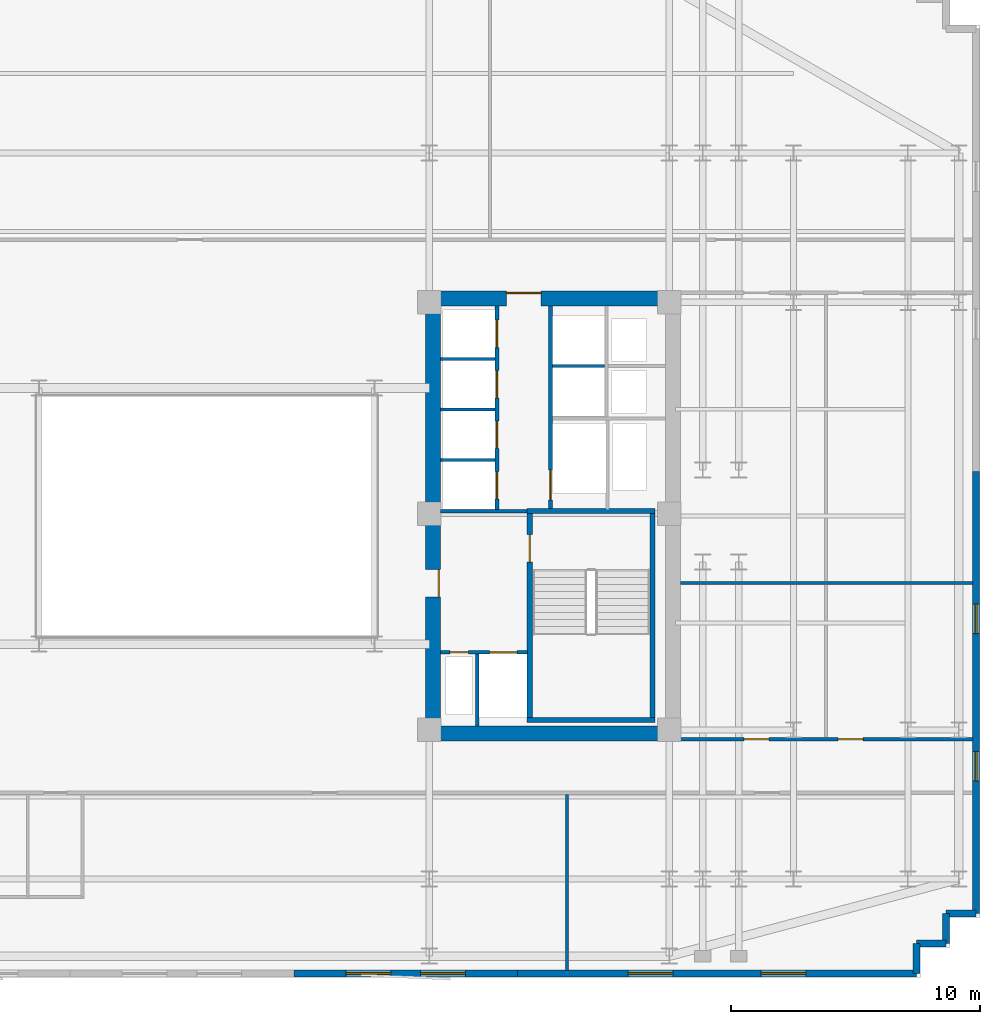
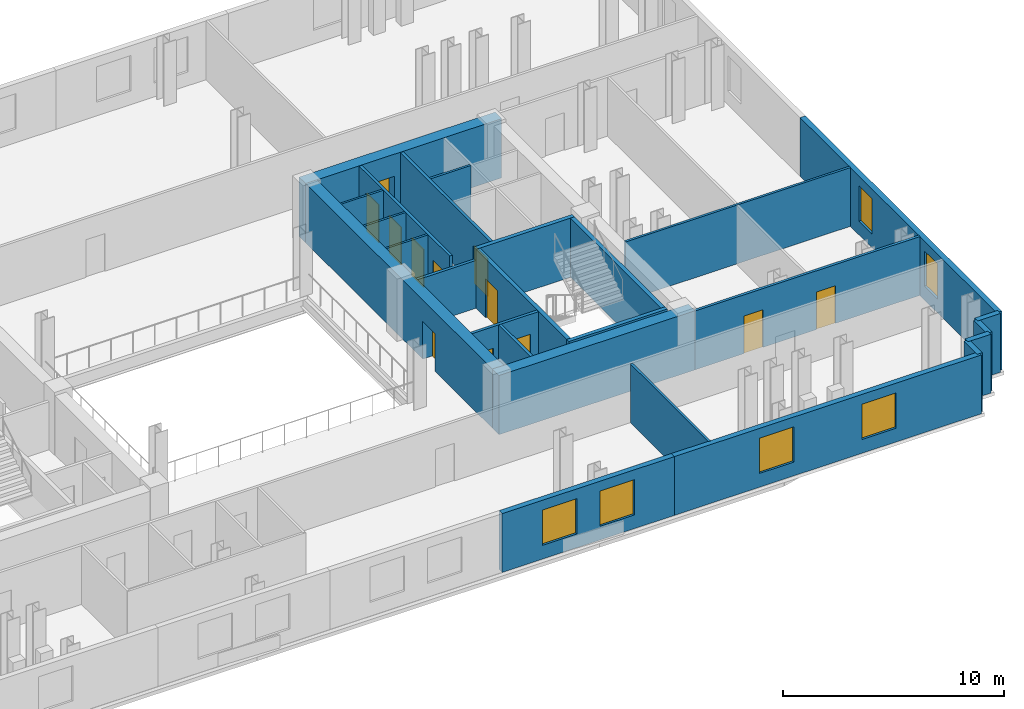
# One storey, part 6 of 10: 26 walls, 12 doors, 6 windows, 18 openings.
"""IFC4 building model written with IfcOpenShell, lengths in metres."""

from ifc_helpers import new_model, si_unit, direction, frame, frame_2d, origin, place, context, subcontext, project, spatial, rectangle, extrude, material, layer, layer_set, type_object, element, fill, save


model = new_model("IFC4")

# Units and contexts
model_context = context("Model", 3, precision=1e-05, world=origin(), true_north=direction((0.0, 1.0)))
body_context = subcontext(model_context, "Body", "Model", "MODEL_VIEW")
ifc_project = project(units=[si_unit("LENGTHUNIT", "METRE"), si_unit("AREAUNIT", "SQUARE_METRE"), si_unit("VOLUMEUNIT", "CUBIC_METRE"), si_unit("PLANEANGLEUNIT", "RADIAN"), si_unit("MASSUNIT", "GRAM", prefix="KILO")], contexts=[model_context])

# Site, building, storey
site_placement = place(None, origin())
site = spatial("IfcSite", under=ifc_project, at=site_placement, CompositionType="ELEMENT")
building_placement = place(site_placement, origin())
building = spatial("IfcBuilding", under=site, at=building_placement, Name="Velakula Bourse", CompositionType="ELEMENT")
storey_placement = place(building_placement, frame((0.0, 0.0, 127.75)))
storey = spatial("IfcBuildingStorey", under=building, at=storey_placement, Name="L34", CompositionType="ELEMENT", Elevation=127.75)

# Wall, opening, door
ifc_material_1 = material(Name="Concrete M50 (fck 50 MPa)", Category="concrete")
ifc_layer_1 = layer(ifc_material_1, 0.2099609375, Name="Concrete M50 (fck 50 MPa)", Category="concrete")
ifc_layer_set_1 = layer_set([ifc_layer_1], Name="Concrete M50 (fck 50 MPa)")
wall_type_1 = type_object("IfcWallType", Name="WL-CORE-210", PredefinedType="SHEAR", material=ifc_layer_set_1)
wall_1_placement = place(storey_placement, frame((12.9951171875, -8.10009765625, 0.0), z_axis=(0.0, 0.0, 1.0), x_axis=(0.0, 1.0, 0.0)))
wall_1 = element("IfcWall", 1, at=wall_1_placement, inside=storey, type_object=wall_type_1, Name="L34 Core E Stairwell Shear Wall IN", PredefinedType="SHEAR", context=body_context, shape_type="SweptSolid", body=[
    extrude(rectangle(XDim=8.2001953125, YDim=0.2099609375, at=frame_2d((4.10009765625, 0.0))), origin(), (0.0, 0.0, 1.0), 3.27001953125),
])
opening_1_placement = place(wall_1_placement, frame((6.25, 0.0, 0.0)))
opening_1 = element("IfcOpeningElement", 2, at=opening_1_placement, cuts=wall_1, Name="Opening D-STE1", PredefinedType="OPENING", context=body_context, shape_type="SweptSolid", body=[
    extrude(rectangle(XDim=1.10009765625, YDim=2.14990234375, at=frame_2d((0.550048828125, 1.074951171875))), frame((0.0, 0.114990234375, 0.0), z_axis=(0.0, -1.0, 0.0), x_axis=(1.0, 0.0, 0.0)), (0.0, 0.0, 1.0), 0.22998046875),
])
ifc_material_2 = material(Name="Galvanised painted hollow steel fire door", Category="steel")
door_type_1 = type_object("IfcDoorType", Name="DR-FD120-1100x2150", OperationType="NOTDEFINED", PredefinedType="DOOR", material=ifc_material_2)
door_1_placement = place(opening_1_placement, origin())
door_1 = element("IfcDoor", 3, at=door_1_placement, inside=storey, type_object=door_type_1, Name="L34 Stair ST-E1 Fire Door", OperationType="SINGLE_SWING_RIGHT", OverallHeight=2.14990234375, OverallWidth=1.10009765625, PredefinedType="DOOR", context=body_context, shape_type="SweptSolid", body=[
    extrude(rectangle(XDim=1.10009765625, YDim=2.14990234375, at=frame_2d((0.550048828125, 1.074951171875))), frame((0.0, 0.02490234375, 0.0), z_axis=(0.0, -1.0, 0.0), x_axis=(1.0, 0.0, 0.0)), (0.0, 0.0, 1.0), 0.050048828125),
])
fill(opening_1, door_1)

# Walls
wall_2_placement = place(storey_placement, frame((17.925048828125, -8.10009765625, 0.0), z_axis=(0.0, 0.0, 1.0), x_axis=(0.0, 1.0, 0.0)))
element("IfcWall", 4, at=wall_2_placement, inside=storey, type_object=wall_type_1, Name="L34 Core E Stairwell Shear Wall OUT", PredefinedType="SHEAR", context=body_context, shape_type="SweptSolid", body=[
    extrude(rectangle(XDim=8.2001953125, YDim=0.2099609375, at=frame_2d((4.10009765625, 0.0))), origin(), (0.0, 0.0, 1.0), 3.27001953125),
])
for number, where, z_axis, x_axis, name in (
    (5, (12.889892578125, -8.205078125, 0.0), (0.0, 0.0, 1.0), (1.0, 0.0, 0.0), "L34 Core E Stairwell Shear Wall S"),
    (6, (18.030029296875, 0.205078125, 0.0), (0.0, 0.0, 1.0), (-1.0, 0.0, 0.0), "L34 Core E Stairwell Shear Wall N"),
):
    element("IfcWall", number, at=place(storey_placement, frame(where, z_axis=z_axis, x_axis=x_axis)), inside=storey, type_object=wall_type_1, Name=name, PredefinedType="SHEAR", context=body_context, shape_type="SweptSolid", body=[
        extrude(rectangle(XDim=5.14013671875, YDim=0.2099609375, at=frame_2d((2.570068359375, 0.0))), origin(), (0.0, 0.0, 1.0), 3.27001953125),
    ])
ifc_material_3 = material(Name="Concrete M70 (fck 70 MPa)", Category="concrete")
ifc_layer_2 = layer(ifc_material_3, 0.60009765625, Name="Concrete M70 (fck 70 MPa)", Category="concrete")
ifc_layer_set_2 = layer_set([ifc_layer_2], Name="Concrete M70 (fck 70 MPa)")
wall_type_2 = type_object("IfcWallType", Name="WL-CORE-600", PredefinedType="SHEAR", material=ifc_layer_set_2)
wall_3_placement = place(storey_placement, frame((8.800048828125, -8.75, 0.0), z_axis=(0.0, 0.0, 1.0), x_axis=(1.0, 0.0, 0.0)))
element("IfcWall", 7, at=wall_3_placement, inside=storey, type_object=wall_type_2, Name="L34 Core E Shear Wall S", PredefinedType="SHEAR", context=body_context, shape_type="SweptSolid", body=[
    extrude(rectangle(XDim=10.25, YDim=0.60009765625, at=frame_2d((5.125, 0.0))), origin(), (0.0, 0.0, 1.0), 3.27001953125),
])

# Wall, opening, door
wall_4_placement = place(storey_placement, frame((8.800048828125, 8.75, 0.0), z_axis=(0.0, 0.0, 1.0), x_axis=(1.0, 0.0, 0.0)))
wall_4 = element("IfcWall", 8, at=wall_4_placement, inside=storey, type_object=wall_type_2, Name="L34 Core E Shear Wall N", PredefinedType="SHEAR", context=body_context, shape_type="SweptSolid", body=[
    extrude(rectangle(XDim=10.25, YDim=0.60009765625, at=frame_2d((5.125, 0.0))), origin(), (0.0, 0.0, 1.0), 3.27001953125),
])
opening_2_placement = place(wall_4_placement, frame((3.25, 0.0, 0.0)))
opening_2 = element("IfcOpeningElement", 9, at=opening_2_placement, cuts=wall_4, Name="Opening D-LLE", PredefinedType="OPENING", context=body_context, shape_type="SweptSolid", body=[
    extrude(rectangle(XDim=1.39990234375, YDim=2.050048828125, at=frame_2d((0.699951171875, 1.02490234375))), frame((0.0, 0.31005859375, 0.0), z_axis=(0.0, -1.0, 0.0), x_axis=(1.0, 0.0, 0.0)), (0.0, 0.0, 1.0), 0.6201171875),
])
ifc_material_4 = material(Name="Fire-rated hardwood flush architectural door", Category="wood")
door_type_2 = type_object("IfcDoorType", Name="DR-DBL-FD60-1400", OperationType="DOUBLE_DOOR_SINGLE_SWING", PredefinedType="DOOR", material=ifc_material_4)
door_2_placement = place(opening_2_placement, origin())
door_2 = element("IfcDoor", 10, at=door_2_placement, inside=storey, type_object=door_type_2, Name="L34 Core E Lift Lobby Corridor Double Door", OperationType="DOUBLE_DOOR_SINGLE_SWING", OverallHeight=2.050048828125, OverallWidth=1.39990234375, PredefinedType="DOOR", context=body_context, shape_type="SweptSolid", body=[
    extrude(rectangle(XDim=1.39990234375, YDim=2.050048828125, at=frame_2d((0.699951171875, 1.02490234375))), frame((0.0, 0.2451171875, 0.0), z_axis=(0.0, -1.0, 0.0), x_axis=(1.0, 0.0, 0.0)), (0.0, 0.0, 1.0), 0.050048828125),
])
fill(opening_2, door_2)

wall_5_placement = place(storey_placement, frame((9.10009765625, -8.449951171875, 0.0), z_axis=(0.0, 0.0, 1.0), x_axis=(0.0, 1.0, 0.0)))
wall_5 = element("IfcWall", 11, at=wall_5_placement, inside=storey, type_object=wall_type_2, Name="L34 Core E Shear Wall W", PredefinedType="SHEAR", context=body_context, shape_type="SweptSolid", body=[
    extrude(rectangle(XDim=16.89990234375, YDim=0.60009765625, at=frame_2d((8.449951171875, 0.0))), origin(), (0.0, 0.0, 1.0), 3.27001953125),
])
opening_3_placement = place(wall_5_placement, frame((5.199951171875, 0.0, 0.0)))
opening_3 = element("IfcOpeningElement", 12, at=opening_3_placement, cuts=wall_5, Name="Opening D-FLE", PredefinedType="OPENING", context=body_context, shape_type="SweptSolid", body=[
    extrude(rectangle(XDim=1.10009765625, YDim=2.080078125, at=frame_2d((0.550048828125, 1.0400390625))), frame((0.0, 0.31005859375, 0.0), z_axis=(0.0, -1.0, 0.0), x_axis=(1.0, 0.0, 0.0)), (0.0, 0.0, 1.0), 0.6201171875),
])
door_type_3 = type_object("IfcDoorType", Name="DR-FD120-1100", OperationType="NOTDEFINED", PredefinedType="DOOR", material=ifc_material_2)
door_3_placement = place(opening_3_placement, origin())
door_3 = element("IfcDoor", 13, at=door_3_placement, inside=storey, type_object=door_type_3, Name="L34 Firefighting Lobby E Corridor Fire Door", OperationType="SINGLE_SWING_RIGHT", OverallHeight=2.080078125, OverallWidth=1.10009765625, PredefinedType="DOOR", context=body_context, shape_type="SweptSolid", body=[
    extrude(rectangle(XDim=1.10009765625, YDim=2.080078125, at=frame_2d((0.550048828125, 1.0400390625))), frame((0.0, -0.205078125, 0.0), z_axis=(0.0, -1.0, 0.0), x_axis=(1.0, 0.0, 0.0)), (0.0, 0.0, 1.0), 0.050048828125),
])
fill(opening_3, door_3)

# Wall, openings, windows
ifc_material_5 = material(Name="Red kilned clay facing brick masonry", Category="masonry")
ifc_layer_3 = layer(ifc_material_5, 0.280029296875, Name="Red kilned clay facing brick masonry", Category="masonry")
ifc_layer_set_3 = layer_set([ifc_layer_3], Name="Red kilned clay facing brick masonry")
wall_type_3 = type_object("IfcWallType", Name="WL-EXT-BRK-280", PredefinedType="STANDARD", material=ifc_layer_set_3)
wall_6_placement = place(storey_placement, frame((12.5, -18.389892578125, 0.0), z_axis=(0.0, 0.0, 1.0), x_axis=(-1.0, 0.0, 0.0)))
wall_6 = element("IfcWall", 14, at=wall_6_placement, inside=storey, type_object=wall_type_3, Name="L34 S Brick Spandrel Wall B4", PredefinedType="STANDARD", context=body_context, shape_type="SweptSolid", body=[
    extrude(rectangle(XDim=9.0, YDim=0.280029296875, at=frame_2d((4.5, 0.0))), origin(), (0.0, 0.0, 1.0), 3.25),
])
opening_4_placement = place(wall_6_placement, frame((2.10009765625, 0.0, 0.760009765625)))
opening_4 = element("IfcOpeningElement", 15, at=opening_4_placement, cuts=wall_6, Name="Opening W-01", PredefinedType="OPENING", context=body_context, shape_type="SweptSolid", body=[
    extrude(rectangle(XDim=1.800048828125, YDim=1.949951171875, at=frame_2d((0.89990234375, 0.97509765625))), frame((0.0, 0.14990234375, 0.0), z_axis=(0.0, -1.0, 0.0), x_axis=(1.0, 0.0, 0.0)), (0.0, 0.0, 1.0), 0.300048828125),
])
opening_5_placement = place(wall_6_placement, frame((5.10009765625, 0.0, 0.760009765625)))
opening_5 = element("IfcOpeningElement", 16, at=opening_5_placement, cuts=wall_6, Name="Opening W-01", PredefinedType="OPENING", context=body_context, shape_type="SweptSolid", body=[
    extrude(rectangle(XDim=1.800048828125, YDim=1.949951171875, at=frame_2d((0.89990234375, 0.97509765625))), frame((0.0, 0.14990234375, 0.0), z_axis=(0.0, -1.0, 0.0), x_axis=(1.0, 0.0, 0.0)), (0.0, 0.0, 1.0), 0.300048828125),
])
ifc_material_6 = material(Name="Double-glazed solar-control Low-E glass", Category="glass")
window_type_1 = type_object("IfcWindowType", Name="WIN-TWR-1800x2100", PartitioningType="SINGLE_PANEL", PredefinedType="WINDOW", material=ifc_material_6)
window_1_placement = place(opening_4_placement, origin())
window_1 = element("IfcWindow", 17, at=window_1_placement, inside=storey, type_object=window_type_1, Name="L34 Deep-Set Recessed Window 1", OverallHeight=1.949951171875, OverallWidth=1.800048828125, PartitioningType="SINGLE_PANEL", PredefinedType="WINDOW", context=body_context, shape_type="SweptSolid", body=[
    extrude(rectangle(XDim=1.800048828125, YDim=1.949951171875, at=frame_2d((0.89990234375, 0.97509765625))), frame((0.0, 0.030029296875, 0.0), z_axis=(0.0, -1.0, 0.0), x_axis=(1.0, 0.0, 0.0)), (0.0, 0.0, 1.0), 0.06005859375),
])
fill(opening_4, window_1)
window_2_placement = place(opening_5_placement, origin())
window_2 = element("IfcWindow", 18, at=window_2_placement, inside=storey, type_object=window_type_1, Name="L34 Deep-Set Recessed Window 2", OverallHeight=1.949951171875, OverallWidth=1.800048828125, PartitioningType="SINGLE_PANEL", PredefinedType="WINDOW", context=body_context, shape_type="SweptSolid", body=[
    extrude(rectangle(XDim=1.800048828125, YDim=1.949951171875, at=frame_2d((0.89990234375, 0.97509765625))), frame((0.0, 0.030029296875, 0.0), z_axis=(0.0, -1.0, 0.0), x_axis=(1.0, 0.0, 0.0)), (0.0, 0.0, 1.0), 0.06005859375),
])
fill(opening_5, window_2)

wall_7_placement = place(storey_placement, frame((28.5400390625, -18.389892578125, 0.0), z_axis=(0.0, 0.0, 1.0), x_axis=(-1.0, 0.0, 0.0)))
wall_7 = element("IfcWall", 19, at=wall_7_placement, inside=storey, type_object=wall_type_3, Name="L34 S Brick Spandrel Wall B5", PredefinedType="STANDARD", context=body_context, shape_type="SweptSolid", body=[
    extrude(rectangle(XDim=16.0400390625, YDim=0.280029296875, at=frame_2d((8.02001953125, 0.0))), origin(), (0.0, 0.0, 1.0), 3.25),
])
opening_6_placement = place(wall_7_placement, frame((4.44677734375, 0.0, 0.760009765625)))
opening_6 = element("IfcOpeningElement", 20, at=opening_6_placement, cuts=wall_7, Name="Opening W-01", PredefinedType="OPENING", context=body_context, shape_type="SweptSolid", body=[
    extrude(rectangle(XDim=1.800048828125, YDim=1.949951171875, at=frame_2d((0.89990234375, 0.97509765625))), frame((0.0, 0.14990234375, 0.0), z_axis=(0.0, -1.0, 0.0), x_axis=(1.0, 0.0, 0.0)), (0.0, 0.0, 1.0), 0.300048828125),
])
opening_7_placement = place(wall_7_placement, frame((9.793212890625, 0.0, 0.760009765625)))
opening_7 = element("IfcOpeningElement", 21, at=opening_7_placement, cuts=wall_7, Name="Opening W-01", PredefinedType="OPENING", context=body_context, shape_type="SweptSolid", body=[
    extrude(rectangle(XDim=1.800048828125, YDim=1.949951171875, at=frame_2d((0.89990234375, 0.97509765625))), frame((0.0, 0.14990234375, 0.0), z_axis=(0.0, -1.0, 0.0), x_axis=(1.0, 0.0, 0.0)), (0.0, 0.0, 1.0), 0.300048828125),
])
window_3_placement = place(opening_6_placement, origin())
window_3 = element("IfcWindow", 22, at=window_3_placement, inside=storey, type_object=window_type_1, Name="L34 Deep-Set Recessed Window 1", OverallHeight=1.949951171875, OverallWidth=1.800048828125, PartitioningType="SINGLE_PANEL", PredefinedType="WINDOW", context=body_context, shape_type="SweptSolid", body=[
    extrude(rectangle(XDim=1.800048828125, YDim=1.949951171875, at=frame_2d((0.89990234375, 0.97509765625))), frame((0.0, 0.030029296875, 0.0), z_axis=(0.0, -1.0, 0.0), x_axis=(1.0, 0.0, 0.0)), (0.0, 0.0, 1.0), 0.06005859375),
])
fill(opening_6, window_3)
window_4_placement = place(opening_7_placement, origin())
window_4 = element("IfcWindow", 23, at=window_4_placement, inside=storey, type_object=window_type_1, Name="L34 Deep-Set Recessed Window 2", OverallHeight=1.949951171875, OverallWidth=1.800048828125, PartitioningType="SINGLE_PANEL", PredefinedType="WINDOW", context=body_context, shape_type="SweptSolid", body=[
    extrude(rectangle(XDim=1.800048828125, YDim=1.949951171875, at=frame_2d((0.89990234375, 0.97509765625))), frame((0.0, 0.030029296875, 0.0), z_axis=(0.0, -1.0, 0.0), x_axis=(1.0, 0.0, 0.0)), (0.0, 0.0, 1.0), 0.06005859375),
])
fill(opening_7, window_4)

wall_8_placement = place(storey_placement, frame((30.93994140625, 1.800048828125, 0.0), z_axis=(0.0, 0.0, 1.0), x_axis=(0.0, -1.0, 0.0)))
wall_8 = element("IfcWall", 24, at=wall_8_placement, inside=storey, type_object=wall_type_3, Name="L34 E Brick End Wall W1", PredefinedType="STANDARD", context=body_context, shape_type="SweptSolid", body=[
    extrude(rectangle(XDim=17.7900390625, YDim=0.280029296875, at=frame_2d((8.89501953125, 0.0))), origin(), (0.0, 0.0, 1.0), 3.25),
])
opening_8_placement = place(wall_8_placement, frame((5.330078125, 0.0, 0.760009765625)))
opening_8 = element("IfcOpeningElement", 25, at=opening_8_placement, cuts=wall_8, Name="Opening W-04", PredefinedType="OPENING", context=body_context, shape_type="SweptSolid", body=[
    extrude(rectangle(XDim=1.199951171875, YDim=1.949951171875, at=frame_2d((0.60009765625, 0.97509765625))), frame((0.0, 0.14990234375, 0.0), z_axis=(0.0, -1.0, 0.0), x_axis=(1.0, 0.0, 0.0)), (0.0, 0.0, 1.0), 0.300048828125),
])
opening_9_placement = place(wall_8_placement, frame((11.260009765625, 0.0, 0.760009765625)))
opening_9 = element("IfcOpeningElement", 26, at=opening_9_placement, cuts=wall_8, Name="Opening W-04", PredefinedType="OPENING", context=body_context, shape_type="SweptSolid", body=[
    extrude(rectangle(XDim=1.199951171875, YDim=1.949951171875, at=frame_2d((0.60009765625, 0.97509765625))), frame((0.0, 0.14990234375, 0.0), z_axis=(0.0, -1.0, 0.0), x_axis=(1.0, 0.0, 0.0)), (0.0, 0.0, 1.0), 0.300048828125),
])
window_type_2 = type_object("IfcWindowType", Name="WIN-TWR-1200x2100", PartitioningType="SINGLE_PANEL", PredefinedType="WINDOW", material=ifc_material_6)
window_5_placement = place(opening_8_placement, origin())
window_5 = element("IfcWindow", 27, at=window_5_placement, inside=storey, type_object=window_type_2, Name="L34 Deep-Set Recessed Window 1", OverallHeight=1.949951171875, OverallWidth=1.199951171875, PartitioningType="SINGLE_PANEL", PredefinedType="WINDOW", context=body_context, shape_type="SweptSolid", body=[
    extrude(rectangle(XDim=1.199951171875, YDim=1.949951171875, at=frame_2d((0.60009765625, 0.97509765625))), frame((0.0, 0.030029296875, 0.0), z_axis=(0.0, -1.0, 0.0), x_axis=(1.0, 0.0, 0.0)), (0.0, 0.0, 1.0), 0.06005859375),
])
fill(opening_8, window_5)
window_6_placement = place(opening_9_placement, origin())
window_6 = element("IfcWindow", 28, at=window_6_placement, inside=storey, type_object=window_type_2, Name="L34 Deep-Set Recessed Window 2", OverallHeight=1.949951171875, OverallWidth=1.199951171875, PartitioningType="SINGLE_PANEL", PredefinedType="WINDOW", context=body_context, shape_type="SweptSolid", body=[
    extrude(rectangle(XDim=1.199951171875, YDim=1.949951171875, at=frame_2d((0.60009765625, 0.97509765625))), frame((0.0, 0.030029296875, 0.0), z_axis=(0.0, -1.0, 0.0), x_axis=(1.0, 0.0, 0.0)), (0.0, 0.0, 1.0), 0.06005859375),
])
fill(opening_9, window_6)

# Walls
for number, where, z_axis, x_axis, name in (
    (29, (28.5400390625, -18.389892578125, 0.0), (0.0, 0.0, 1.0), (0.0, 1.0, 0.0), "L34 Serrated Corner Brick Wall SE-1"),
    (30, (28.5400390625, -17.18994140625, 0.0), (0.0, 0.0, 1.0), (1.0, 0.0, 0.0), "L34 Serrated Corner Brick Wall SE-2"),
    (31, (29.739990234375, -17.18994140625, 0.0), (0.0, 0.0, 1.0), (0.0, 1.0, 0.0), "L34 Serrated Corner Brick Wall SE-3"),
    (32, (29.739990234375, -15.989990234375, 0.0), (0.0, 0.0, 1.0), (1.0, 0.0, 0.0), "L34 Serrated Corner Brick Wall SE-4"),
):
    element("IfcWall", number, at=place(storey_placement, frame(where, z_axis=z_axis, x_axis=x_axis)), inside=storey, type_object=wall_type_3, Name=name, PredefinedType="STANDARD", context=body_context, shape_type="SweptSolid", body=[
        extrude(rectangle(XDim=1.199951171875, YDim=0.280029296875, at=frame_2d((0.60009765625, 0.0))), origin(), (0.0, 0.0, 1.0), 3.25),
    ])
ifc_material_7 = material(Name="Fire-rated double-layer gypsum drywall partition", Category="gypsum")
ifc_layer_4 = layer(ifc_material_7, 0.1201171875, Name="Fire-rated double-layer gypsum drywall partition", Category="gypsum")
ifc_layer_set_4 = layer_set([ifc_layer_4], Name="Fire-rated double-layer gypsum drywall partition")
wall_type_4 = type_object("IfcWallType", Name="WL-PART-120", PredefinedType="STANDARD", material=ifc_layer_set_4)
for number, where, z_axis, x_axis, name in (
    (33, (9.39990234375, 2.2548828125, 0.0), (0.0, 0.0, 1.0), (1.0, 0.0, 0.0), "L34 Interior Partition WL-CRE-L34-BDIV-0"),
    (34, (9.39990234375, 4.284912109375, 0.0), (0.0, 0.0, 1.0), (1.0, 0.0, 0.0), "L34 Interior Partition WL-CRE-L34-BDIV-1"),
    (35, (9.39990234375, 6.31494140625, 0.0), (0.0, 0.0, 1.0), (1.0, 0.0, 0.0), "L34 Interior Partition WL-CRE-L34-BDIV-2"),
):
    element("IfcWall", number, at=place(storey_placement, frame(where, z_axis=z_axis, x_axis=x_axis)), inside=storey, type_object=wall_type_4, Name=name, PredefinedType="STANDARD", context=body_context, shape_type="SweptSolid", body=[
        extrude(rectangle(XDim=2.2001953125, YDim=0.110107421875, at=frame_2d((1.10009765625, 0.0))), origin(), (0.0, 0.0, 1.0), 3.25),
    ])
wall_9_placement = place(storey_placement, frame((13.89990234375, 6.030029296875, 0.0), z_axis=(0.0, 0.0, 1.0), x_axis=(1.0, 0.0, 0.0)))
element("IfcWall", 36, at=wall_9_placement, inside=storey, type_object=wall_type_4, Name="L34 Interior Partition WL-CRE-L34-HI-DIV", PredefinedType="STANDARD", context=body_context, shape_type="SweptSolid", body=[
    extrude(rectangle(XDim=2.10009765625, YDim=0.1201171875, at=frame_2d((1.050048828125, 0.0))), origin(), (0.0, 0.0, 1.0), 3.25),
])
wall_10_placement = place(storey_placement, frame((14.489013671875, -18.27001953125, 0.0), z_axis=(0.0, 0.0, 1.0), x_axis=(0.0, 1.0, 0.0)))
element("IfcWall", 37, at=wall_10_placement, inside=storey, type_object=wall_type_4, Name="L34 Interior Partition WL-INT-L34-SR-D6", PredefinedType="STANDARD", context=body_context, shape_type="SweptSolid", body=[
    extrude(rectangle(XDim=7.080078125, YDim=0.1201171875, at=frame_2d((3.5400390625, 0.0))), origin(), (0.0, 0.0, 1.0), 3.25),
])
wall_11_placement = place(storey_placement, frame((19.050048828125, -2.699951171875, 0.0), z_axis=(0.0, 0.0, 1.0), x_axis=(1.0, 0.0, 0.0)))
element("IfcWall", 38, at=wall_11_placement, inside=storey, type_object=wall_type_4, Name="L34 Interior Partition WL-INT-L34-E-H", PredefinedType="STANDARD", context=body_context, shape_type="SweptSolid", body=[
    extrude(rectangle(XDim=11.77001953125, YDim=0.1201171875, at=frame_2d((5.885009765625, 0.0))), origin(), (0.0, 0.0, 1.0), 3.25),
])

# Wall, openings, doors
ifc_layer_5 = layer(ifc_material_7, 0.139892578125, Name="Fire-rated double-layer gypsum drywall partition", Category="gypsum")
ifc_layer_set_5 = layer_set([ifc_layer_5], Name="Fire-rated double-layer gypsum drywall partition")
wall_type_5 = type_object("IfcWallType", Name="WL-PART-140", PredefinedType="STANDARD", material=ifc_layer_set_5)
wall_12_placement = place(storey_placement, frame((19.050048828125, -8.97998046875, 0.0), z_axis=(0.0, 0.0, 1.0), x_axis=(1.0, 0.0, 0.0)))
wall_12 = element("IfcWall", 39, at=wall_12_placement, inside=storey, type_object=wall_type_5, Name="L34 Interior Partition WL-INT-L34-E-SC", PredefinedType="STANDARD", context=body_context, shape_type="SweptSolid", body=[
    extrude(rectangle(XDim=11.77001953125, YDim=0.139892578125, at=frame_2d((5.885009765625, 0.0))), origin(), (0.0, 0.0, 1.0), 3.25),
])
opening_10_placement = place(wall_12_placement, frame((2.5576171875, 0.0, 0.0)))
opening_10 = element("IfcOpeningElement", 40, at=opening_10_placement, cuts=wall_12, Name="Opening D-OF1", PredefinedType="OPENING", context=body_context, shape_type="SweptSolid", body=[
    extrude(rectangle(XDim=1.0, YDim=2.080078125, at=frame_2d((0.5, 1.0400390625))), frame((0.0, 0.079833984375, 0.0), z_axis=(0.0, -1.0, 0.0), x_axis=(1.0, 0.0, 0.0)), (0.0, 0.0, 1.0), 0.159912109375),
])
opening_11_placement = place(wall_12_placement, frame((6.346923828125, 0.0, 0.0)))
opening_11 = element("IfcOpeningElement", 41, at=opening_11_placement, cuts=wall_12, Name="Opening D-OF1", PredefinedType="OPENING", context=body_context, shape_type="SweptSolid", body=[
    extrude(rectangle(XDim=1.0, YDim=2.080078125, at=frame_2d((0.5, 1.0400390625))), frame((0.0, 0.079833984375, 0.0), z_axis=(0.0, -1.0, 0.0), x_axis=(1.0, 0.0, 0.0)), (0.0, 0.0, 1.0), 0.159912109375),
])
door_type_4 = type_object("IfcDoorType", Name="DR-OFF-1000", OperationType="NOTDEFINED", PredefinedType="DOOR", material=ifc_material_4)
door_4_placement = place(opening_10_placement, origin())
door_4 = element("IfcDoor", 42, at=door_4_placement, inside=storey, type_object=door_type_4, Name="L34 Legal Counsel Office Door", OperationType="SINGLE_SWING_LEFT", OverallHeight=2.080078125, OverallWidth=1.0, PredefinedType="DOOR", context=body_context, shape_type="SweptSolid", body=[
    extrude(rectangle(XDim=1.0, YDim=2.080078125, at=frame_2d((0.5, 1.0400390625))), frame((0.0, 0.02490234375, 0.0), z_axis=(0.0, -1.0, 0.0), x_axis=(1.0, 0.0, 0.0)), (0.0, 0.0, 1.0), 0.050048828125),
])
fill(opening_10, door_4)
door_5_placement = place(opening_11_placement, origin())
door_5 = element("IfcDoor", 43, at=door_5_placement, inside=storey, type_object=door_type_4, Name="L34 Disciplinary Hearing Room Door", OperationType="SINGLE_SWING_RIGHT", OverallHeight=2.080078125, OverallWidth=1.0, PredefinedType="DOOR", context=body_context, shape_type="SweptSolid", body=[
    extrude(rectangle(XDim=1.0, YDim=2.080078125, at=frame_2d((0.5, 1.0400390625))), frame((0.0, 0.02490234375, 0.0), z_axis=(0.0, -1.0, 0.0), x_axis=(1.0, 0.0, 0.0)), (0.0, 0.0, 1.0), 0.050048828125),
])
fill(opening_11, door_5)

ifc_material_8 = material(Name="Autoclaved aerated concrete blockwork masonry", Category="masonry")
ifc_layer_6 = layer(ifc_material_8, 0.14990234375, Name="Autoclaved aerated concrete blockwork masonry", Category="masonry")
ifc_layer_set_6 = layer_set([ifc_layer_6], Name="Autoclaved aerated concrete blockwork masonry")
wall_type_6 = type_object("IfcWallType", Name="WL-SHAFT-150", PredefinedType="STANDARD", material=ifc_layer_set_6)
wall_13_placement = place(storey_placement, frame((9.39990234375, -5.47509765625, 0.0), z_axis=(0.0, 0.0, 1.0), x_axis=(1.0, 0.0, 0.0)))
wall_13 = element("IfcWall", 44, at=wall_13_placement, inside=storey, type_object=wall_type_6, Name="L34 Interior Partition WL-CRE-L34-FFL-N", PredefinedType="STANDARD", context=body_context, shape_type="SweptSolid", body=[
    extrude(rectangle(XDim=3.4951171875, YDim=0.14990234375, at=frame_2d((1.74755859375, 0.0))), origin(), (0.0, 0.0, 1.0), 3.25),
])
opening_12_placement = place(wall_13_placement, frame((1.97509765625, 0.0, 0.0)))
opening_12 = element("IfcOpeningElement", 45, at=opening_12_placement, cuts=wall_13, Name="Opening LD-FFL-2", PredefinedType="OPENING", context=body_context, shape_type="SweptSolid", body=[
    extrude(rectangle(XDim=1.10009765625, YDim=2.14990234375, at=frame_2d((0.550048828125, 1.074951171875))), frame((0.0, 0.0849609375, 0.0), z_axis=(0.0, -1.0, 0.0), x_axis=(1.0, 0.0, 0.0)), (0.0, 0.0, 1.0), 0.169921875),
])
opening_13_placement = place(wall_13_placement, frame((0.375, 0.0, 0.0)))
opening_13 = element("IfcOpeningElement", 46, at=opening_13_placement, cuts=wall_13, Name="Opening D-RS1", PredefinedType="OPENING", context=body_context, shape_type="SweptSolid", body=[
    extrude(rectangle(XDim=0.75, YDim=2.050048828125, at=frame_2d((0.375, 1.02490234375))), frame((0.0, 0.0849609375, 0.0), z_axis=(0.0, -1.0, 0.0), x_axis=(1.0, 0.0, 0.0)), (0.0, 0.0, 1.0), 0.169921875),
])
door_type_5 = type_object("IfcDoorType", Name="DR-RISER-800", OperationType="NOTDEFINED", PredefinedType="DOOR", material=ifc_material_2)
door_6_placement = place(opening_13_placement, origin())
door_6 = element("IfcDoor", 47, at=door_6_placement, inside=storey, type_object=door_type_5, Name="L34 Fire Riser Access Door", OperationType="SINGLE_SWING_LEFT", OverallHeight=2.050048828125, OverallWidth=0.75, PredefinedType="DOOR", context=body_context, shape_type="SweptSolid", body=[
    extrude(rectangle(XDim=0.75, YDim=2.050048828125, at=frame_2d((0.375, 1.02490234375))), frame((0.0, 0.02490234375, 0.0), z_axis=(0.0, -1.0, 0.0), x_axis=(1.0, 0.0, 0.0)), (0.0, 0.0, 1.0), 0.050048828125),
])
fill(opening_13, door_6)
ifc_material_9 = material(Name="Brushed grade 316 stainless steel", Category="steel")
door_type_6 = type_object("IfcDoorType", Name="DR-SLIDE-FFL-1100", OperationType="DOUBLE_DOOR_SLIDING", PredefinedType="DOOR", material=ifc_material_9)
door_7_placement = place(opening_12_placement, origin())
door_7 = element("IfcDoor", 48, at=door_7_placement, inside=storey, type_object=door_type_6, Name="L34 Firefighting Lift FFL-2 Sliding Landing Door", OperationType="DOUBLE_DOOR_SLIDING", OverallHeight=2.14990234375, OverallWidth=1.10009765625, PredefinedType="DOOR", context=body_context, shape_type="SweptSolid", body=[
    extrude(rectangle(XDim=1.10009765625, YDim=2.14990234375, at=frame_2d((0.550048828125, 1.074951171875))), frame((0.0, 0.02490234375, 0.0), z_axis=(0.0, -1.0, 0.0), x_axis=(1.0, 0.0, 0.0)), (0.0, 0.0, 1.0), 0.050048828125),
])
fill(opening_12, door_7)

# Walls
wall_14_placement = place(storey_placement, frame((10.875, -8.449951171875, 0.0), z_axis=(0.0, 0.0, 1.0), x_axis=(0.0, 1.0, 0.0)))
element("IfcWall", 49, at=wall_14_placement, inside=storey, type_object=wall_type_6, Name="L34 Interior Partition WL-CRE-L34-FR-DIV", PredefinedType="STANDARD", context=body_context, shape_type="SweptSolid", body=[
    extrude(rectangle(XDim=2.89990234375, YDim=0.14990234375, at=frame_2d((1.449951171875, 0.0))), origin(), (0.0, 0.0, 1.0), 3.25),
])
wall_15_placement = place(storey_placement, frame((9.39990234375, 0.18994140625, 0.0), z_axis=(0.0, 0.0, 1.0), x_axis=(1.0, 0.0, 0.0)))
element("IfcWall", 50, at=wall_15_placement, inside=storey, type_object=wall_type_6, Name="L34 Interior Partition WL-CRE-L34-FF-TOP", PredefinedType="STANDARD", context=body_context, shape_type="SweptSolid", body=[
    extrude(rectangle(XDim=3.489990234375, YDim=0.14990234375, at=frame_2d((1.7451171875, 0.0))), origin(), (0.0, 0.0, 1.0), 2.64501953125),
])

# Wall, openings, doors
wall_16_placement = place(storey_placement, frame((11.675048828125, 0.27001953125, 0.0), z_axis=(0.0, 0.0, 1.0), x_axis=(0.0, 1.0, 0.0)))
wall_16 = element("IfcWall", 51, at=wall_16_placement, inside=storey, type_object=wall_type_6, Name="L34 Interior Partition WL-CRE-L34-BANK-F", PredefinedType="STANDARD", context=body_context, shape_type="SweptSolid", body=[
    extrude(rectangle(XDim=8.179931640625, YDim=0.14990234375, at=frame_2d((4.08984375, 0.0))), origin(), (0.0, 0.0, 1.0), 3.25),
])
opening_14_placement = place(wall_16_placement, frame((0.419921875, 0.0, 0.0)))
opening_14 = element("IfcOpeningElement", 52, at=opening_14_placement, cuts=wall_16, Name="Opening LD-P5", PredefinedType="OPENING", context=body_context, shape_type="SweptSolid", body=[
    extrude(rectangle(XDim=1.10009765625, YDim=2.10009765625, at=frame_2d((0.550048828125, 1.050048828125))), frame((0.0, 0.0849609375, 0.0), z_axis=(0.0, -1.0, 0.0), x_axis=(1.0, 0.0, 0.0)), (0.0, 0.0, 1.0), 0.169921875),
])
opening_15_placement = place(wall_16_placement, frame((2.449951171875, 0.0, 0.0)))
opening_15 = element("IfcOpeningElement", 53, at=opening_15_placement, cuts=wall_16, Name="Opening LD-P6", PredefinedType="OPENING", context=body_context, shape_type="SweptSolid", body=[
    extrude(rectangle(XDim=1.10009765625, YDim=2.10009765625, at=frame_2d((0.550048828125, 1.050048828125))), frame((0.0, 0.0849609375, 0.0), z_axis=(0.0, -1.0, 0.0), x_axis=(1.0, 0.0, 0.0)), (0.0, 0.0, 1.0), 0.169921875),
])
opening_16_placement = place(wall_16_placement, frame((4.47998046875, 0.0, 0.0)))
opening_16 = element("IfcOpeningElement", 54, at=opening_16_placement, cuts=wall_16, Name="Opening LD-P7", PredefinedType="OPENING", context=body_context, shape_type="SweptSolid", body=[
    extrude(rectangle(XDim=1.10009765625, YDim=2.10009765625, at=frame_2d((0.550048828125, 1.050048828125))), frame((0.0, 0.0849609375, 0.0), z_axis=(0.0, -1.0, 0.0), x_axis=(1.0, 0.0, 0.0)), (0.0, 0.0, 1.0), 0.169921875),
])
opening_17_placement = place(wall_16_placement, frame((6.510009765625, 0.0, 0.0)))
opening_17 = element("IfcOpeningElement", 55, at=opening_17_placement, cuts=wall_16, Name="Opening LD-P8", PredefinedType="OPENING", context=body_context, shape_type="SweptSolid", body=[
    extrude(rectangle(XDim=1.10009765625, YDim=2.10009765625, at=frame_2d((0.550048828125, 1.050048828125))), frame((0.0, 0.0849609375, 0.0), z_axis=(0.0, -1.0, 0.0), x_axis=(1.0, 0.0, 0.0)), (0.0, 0.0, 1.0), 0.169921875),
])
door_type_7 = type_object("IfcDoorType", Name="DR-SLIDE-LD-1100", OperationType="DOUBLE_DOOR_SLIDING", PredefinedType="DOOR", material=ifc_material_9)
door_8_placement = place(opening_14_placement, origin())
door_8 = element("IfcDoor", 56, at=door_8_placement, inside=storey, type_object=door_type_7, Name="L34 Passenger Lift P5 Sliding Landing Door", OperationType="DOUBLE_DOOR_SLIDING", OverallHeight=2.10009765625, OverallWidth=1.10009765625, PredefinedType="DOOR", context=body_context, shape_type="SweptSolid", body=[
    extrude(rectangle(XDim=1.10009765625, YDim=2.10009765625, at=frame_2d((0.550048828125, 1.050048828125))), frame((0.0, 0.02490234375, 0.0), z_axis=(0.0, -1.0, 0.0), x_axis=(1.0, 0.0, 0.0)), (0.0, 0.0, 1.0), 0.050048828125),
])
fill(opening_14, door_8)
door_9_placement = place(opening_15_placement, origin())
door_9 = element("IfcDoor", 57, at=door_9_placement, inside=storey, type_object=door_type_7, Name="L34 Passenger Lift P6 Sliding Landing Door", OperationType="DOUBLE_DOOR_SLIDING", OverallHeight=2.10009765625, OverallWidth=1.10009765625, PredefinedType="DOOR", context=body_context, shape_type="SweptSolid", body=[
    extrude(rectangle(XDim=1.10009765625, YDim=2.10009765625, at=frame_2d((0.550048828125, 1.050048828125))), frame((0.0, 0.02490234375, 0.0), z_axis=(0.0, -1.0, 0.0), x_axis=(1.0, 0.0, 0.0)), (0.0, 0.0, 1.0), 0.050048828125),
])
fill(opening_15, door_9)
door_10_placement = place(opening_16_placement, origin())
door_10 = element("IfcDoor", 58, at=door_10_placement, inside=storey, type_object=door_type_7, Name="L34 Passenger Lift P7 Sliding Landing Door", OperationType="DOUBLE_DOOR_SLIDING", OverallHeight=2.10009765625, OverallWidth=1.10009765625, PredefinedType="DOOR", context=body_context, shape_type="SweptSolid", body=[
    extrude(rectangle(XDim=1.10009765625, YDim=2.10009765625, at=frame_2d((0.550048828125, 1.050048828125))), frame((0.0, 0.02490234375, 0.0), z_axis=(0.0, -1.0, 0.0), x_axis=(1.0, 0.0, 0.0)), (0.0, 0.0, 1.0), 0.050048828125),
])
fill(opening_16, door_10)
door_11_placement = place(opening_17_placement, origin())
door_11 = element("IfcDoor", 59, at=door_11_placement, inside=storey, type_object=door_type_7, Name="L34 Passenger Lift P8 Sliding Landing Door", OperationType="DOUBLE_DOOR_SLIDING", OverallHeight=2.10009765625, OverallWidth=1.10009765625, PredefinedType="DOOR", context=body_context, shape_type="SweptSolid", body=[
    extrude(rectangle(XDim=1.10009765625, YDim=2.10009765625, at=frame_2d((0.550048828125, 1.050048828125))), frame((0.0, 0.02490234375, 0.0), z_axis=(0.0, -1.0, 0.0), x_axis=(1.0, 0.0, 0.0)), (0.0, 0.0, 1.0), 0.050048828125),
])
fill(opening_17, door_11)

# Wall, opening, door
wall_17_placement = place(storey_placement, frame((13.824951171875, 0.27001953125, 0.0), z_axis=(0.0, 0.0, 1.0), x_axis=(0.0, 1.0, 0.0)))
wall_17 = element("IfcWall", 60, at=wall_17_placement, inside=storey, type_object=wall_type_6, Name="L34 Interior Partition WL-CRE-L34-OUT-F", PredefinedType="STANDARD", context=body_context, shape_type="SweptSolid", body=[
    extrude(rectangle(XDim=8.179931640625, YDim=0.14990234375, at=frame_2d((4.08984375, 0.0))), origin(), (0.0, 0.0, 1.0), 3.25),
])
opening_18_placement = place(wall_17_placement, frame((0.3798828125, 0.0, 0.0)))
opening_18 = element("IfcOpeningElement", 61, at=opening_18_placement, cuts=wall_17, Name="Opening LD-SVL1", PredefinedType="OPENING", context=body_context, shape_type="SweptSolid", body=[
    extrude(rectangle(XDim=1.199951171875, YDim=2.10009765625, at=frame_2d((0.60009765625, 1.050048828125))), frame((0.0, 0.0849609375, 0.0), z_axis=(0.0, -1.0, 0.0), x_axis=(1.0, 0.0, 0.0)), (0.0, 0.0, 1.0), 0.169921875),
])
door_type_8 = type_object("IfcDoorType", Name="DR-SLIDE-LD-1200", OperationType="DOUBLE_DOOR_SLIDING", PredefinedType="DOOR", material=ifc_material_9)
door_12_placement = place(opening_18_placement, origin())
door_12 = element("IfcDoor", 62, at=door_12_placement, inside=storey, type_object=door_type_8, Name="L34 Service Lift SVL-1 Sliding Landing Door", OperationType="DOUBLE_DOOR_SLIDING", OverallHeight=2.10009765625, OverallWidth=1.199951171875, PredefinedType="DOOR", context=body_context, shape_type="SweptSolid", body=[
    extrude(rectangle(XDim=1.199951171875, YDim=2.10009765625, at=frame_2d((0.60009765625, 1.050048828125))), frame((0.0, 0.02490234375, 0.0), z_axis=(0.0, -1.0, 0.0), x_axis=(1.0, 0.0, 0.0)), (0.0, 0.0, 1.0), 0.050048828125),
])
fill(opening_18, door_12)

save(model, "model.ifc")
